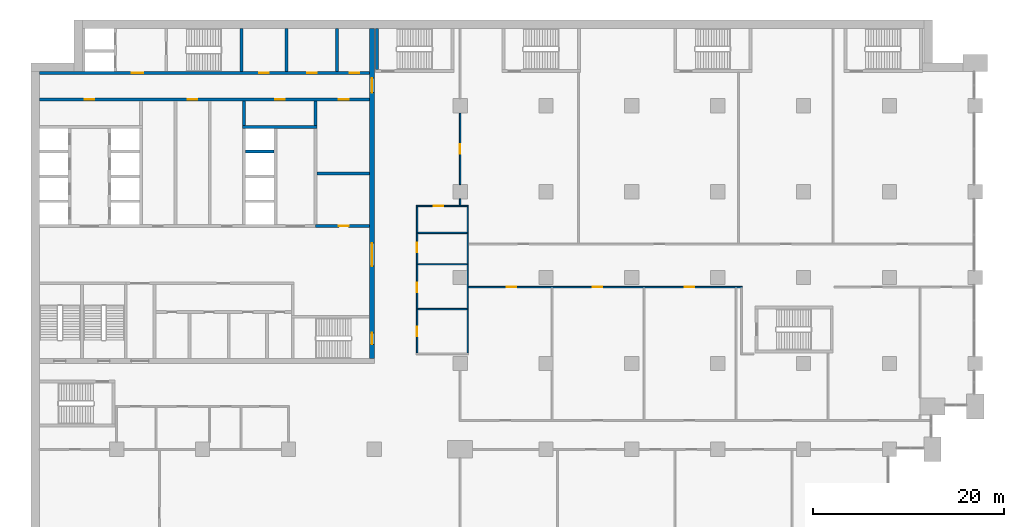
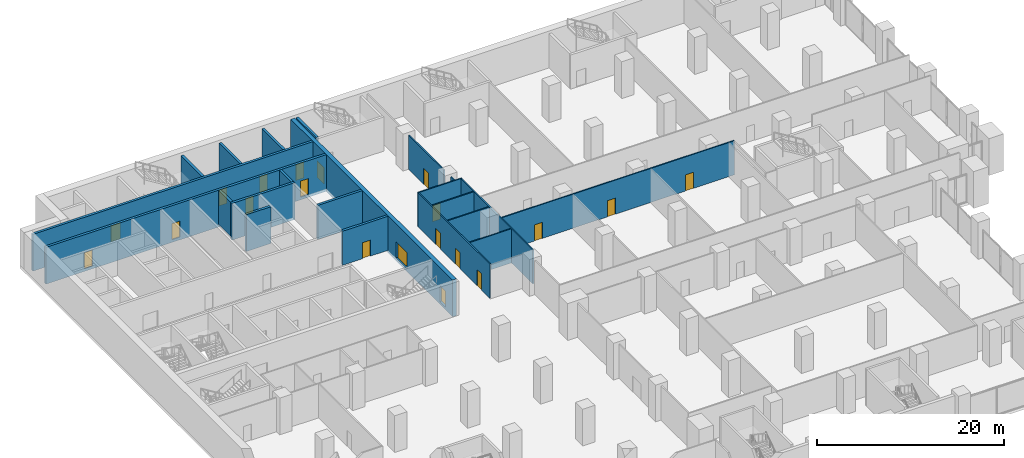
# One storey, part 16 of 31: 22 walls, 20 doors, 20 openings.
"""IFC4 building model written with IfcOpenShell, lengths in metres."""

from ifc_helpers import new_model, si_unit, direction, frame, frame_2d, origin, place, context, subcontext, project, spatial, rectangle, extrude, material, layer, layer_set, type_object, element, fill, save


model = new_model("IFC4")

# Units and contexts
model_context = context("Model", 3, precision=1e-05, world=origin(), true_north=direction((0.0, 1.0)))
body_context = subcontext(model_context, "Body", "Model", "MODEL_VIEW")
ifc_project = project(units=[si_unit("LENGTHUNIT", "METRE"), si_unit("AREAUNIT", "SQUARE_METRE"), si_unit("VOLUMEUNIT", "CUBIC_METRE"), si_unit("PLANEANGLEUNIT", "RADIAN"), si_unit("MASSUNIT", "GRAM", prefix="KILO")], contexts=[model_context])

# Site, building, storey
site_placement = place(None, origin())
site = spatial("IfcSite", under=ifc_project, at=site_placement, CompositionType="ELEMENT")
building_placement = place(site_placement, origin())
building = spatial("IfcBuilding", under=site, at=building_placement, Name="Hunhe Ridgeline Campus", CompositionType="ELEMENT")
storey_placement = place(building_placement, frame((0.0, 0.0, 16.800048828125)))
storey = spatial("IfcBuildingStorey", under=building, at=storey_placement, Name="L03", CompositionType="ELEMENT", Elevation=16.800048828125)

# Walls
ifc_material_1 = material(Name="Plastered blockwork", Category="masonry")
ifc_layer_1 = layer(ifc_material_1, 0.14990234375)
ifc_layer_set_1 = layer_set([ifc_layer_1], Name="Blockwork partition 150")
wall_type_1 = type_object("IfcWallType", Name="Blockwork partition 150", PredefinedType="PARTITIONING", material=ifc_layer_set_1)
wall_1_placement = place(storey_placement, frame((40.574951171875, 68.697021484375, 0.0), z_axis=(0.0, 0.0, 1.0), x_axis=(1.0, 0.0, 0.0)))
element("IfcWall", 1, at=wall_1_placement, inside=storey, type_object=wall_type_1, Name="L03 partition", PredefinedType="PARTITIONING", context=body_context, shape_type="SweptSolid", body=[
    extrude(rectangle(XDim=5.150146484375, YDim=0.14990234375, at=frame_2d((2.5751953125, 0.0))), origin(), (0.0, 0.0, 1.0), 4.449951171875),
])
wall_2_placement = place(storey_placement, frame((45.800048828125, 79.425048828125, 0.0), z_axis=(0.0, 0.0, 1.0), x_axis=(0.0, -1.0, 0.0)))
element("IfcWall", 2, at=wall_2_placement, inside=storey, type_object=wall_type_1, Name="L03 partition", PredefinedType="PARTITIONING", context=body_context, shape_type="SweptSolid", body=[
    extrude(rectangle(XDim=15.35009765625, YDim=0.14990234375, at=frame_2d((7.675048828125, 0.0))), origin(), (0.0, 0.0, 1.0), 4.449951171875),
])

# Wall, openings, doors
wall_3_placement = place(storey_placement, frame((40.5, 64.074951171875, 0.0), z_axis=(0.0, 0.0, 1.0), x_axis=(0.0, 1.0, 0.0)))
wall_3 = element("IfcWall", 3, at=wall_3_placement, inside=storey, type_object=wall_type_1, Name="L03 partition", PredefinedType="PARTITIONING", context=body_context, shape_type="SweptSolid", body=[
    extrude(rectangle(XDim=15.35009765625, YDim=0.14990234375, at=frame_2d((7.675048828125, 0.0))), origin(), (0.0, 0.0, 1.0), 4.449951171875),
])
opening_1_placement = place(wall_3_placement, frame((1.75, 0.0, 0.0)))
opening_1 = element("IfcOpeningElement", 4, at=opening_1_placement, cuts=wall_3, Name="Opening PD404", PredefinedType="OPENING", context=body_context, shape_type="SweptSolid", body=[
    extrude(rectangle(XDim=1.0, YDim=2.10009765625, at=frame_2d((0.5, 1.050048828125))), frame((0.0, 0.074951171875, 0.0), z_axis=(0.0, -1.0, 0.0), x_axis=(1.0, 0.0, 0.0)), (0.0, 0.0, 1.0), 0.14990234375),
])
opening_2_placement = place(wall_3_placement, frame((6.3720703125, 0.0, 0.0)))
opening_2 = element("IfcOpeningElement", 5, at=opening_2_placement, cuts=wall_3, Name="Opening PD405", PredefinedType="OPENING", context=body_context, shape_type="SweptSolid", body=[
    extrude(rectangle(XDim=1.0, YDim=2.10009765625, at=frame_2d((0.5, 1.050048828125))), frame((0.0, 0.074951171875, 0.0), z_axis=(0.0, -1.0, 0.0), x_axis=(1.0, 0.0, 0.0)), (0.0, 0.0, 1.0), 0.14990234375),
])
opening_3_placement = place(wall_3_placement, frame((10.569091796875, 0.0, 0.0)))
opening_3 = element("IfcOpeningElement", 6, at=opening_3_placement, cuts=wall_3, Name="Opening PD406", PredefinedType="OPENING", context=body_context, shape_type="SweptSolid", body=[
    extrude(rectangle(XDim=1.0, YDim=2.10009765625, at=frame_2d((0.5, 1.050048828125))), frame((0.0, 0.074951171875, 0.0), z_axis=(0.0, -1.0, 0.0), x_axis=(1.0, 0.0, 0.0)), (0.0, 0.0, 1.0), 0.14990234375),
])
ifc_material_2 = material(Name="Timber", Category="wood")
door_type_1 = type_object("IfcDoorType", Name="Podium accessible WC door 1000x2100", OperationType="NOTDEFINED", PredefinedType="DOOR", material=ifc_material_2)
door_1_placement = place(opening_3_placement, origin())
door_1 = element("IfcDoor", 7, at=door_1_placement, inside=storey, type_object=door_type_1, Name="Accessible WC door", OperationType="SINGLE_SWING_RIGHT", OverallHeight=2.10009765625, OverallWidth=1.0, PredefinedType="DOOR", context=body_context, shape_type="SweptSolid", body=[
    extrude(rectangle(XDim=1.0, YDim=2.10009765625, at=frame_2d((0.5, 1.050048828125))), frame((0.0, 0.02490234375, 0.0), z_axis=(0.0, -1.0, 0.0), x_axis=(1.0, 0.0, 0.0)), (0.0, 0.0, 1.0), 0.050048828125),
])
fill(opening_3, door_1)
door_type_2 = type_object("IfcDoorType", Name="Podium timber door 1000x2100", OperationType="NOTDEFINED", PredefinedType="DOOR", material=ifc_material_2)
door_2_placement = place(opening_1_placement, origin())
door_2 = element("IfcDoor", 8, at=door_2_placement, inside=storey, type_object=door_type_2, Name="Men WC door", OperationType="SINGLE_SWING_LEFT", OverallHeight=2.10009765625, OverallWidth=1.0, PredefinedType="DOOR", context=body_context, shape_type="SweptSolid", body=[
    extrude(rectangle(XDim=1.0, YDim=2.10009765625, at=frame_2d((0.5, 1.050048828125))), frame((0.0, 0.02490234375, 0.0), z_axis=(0.0, -1.0, 0.0), x_axis=(1.0, 0.0, 0.0)), (0.0, 0.0, 1.0), 0.050048828125),
])
fill(opening_1, door_2)
door_3_placement = place(opening_2_placement, origin())
door_3 = element("IfcDoor", 9, at=door_3_placement, inside=storey, type_object=door_type_2, Name="Women WC door", OperationType="SINGLE_SWING_LEFT", OverallHeight=2.10009765625, OverallWidth=1.0, PredefinedType="DOOR", context=body_context, shape_type="SweptSolid", body=[
    extrude(rectangle(XDim=1.0, YDim=2.10009765625, at=frame_2d((0.5, 1.050048828125))), frame((0.0, 0.02490234375, 0.0), z_axis=(0.0, -1.0, 0.0), x_axis=(1.0, 0.0, 0.0)), (0.0, 0.0, 1.0), 0.050048828125),
])
fill(opening_2, door_3)

# Walls
for number, where, z_axis, x_axis, name in (
    (10, (40.574951171875, 73.39404296875, 0.0), (0.0, 0.0, 1.0), (1.0, 0.0, 0.0), "L03 partition"),
    (11, (40.574951171875, 76.681884765625, 0.0), (0.0, 0.0, 1.0), (1.0, 0.0, 0.0), "L03 partition"),
):
    element("IfcWall", number, at=place(storey_placement, frame(where, z_axis=z_axis, x_axis=x_axis)), inside=storey, type_object=wall_type_1, Name=name, PredefinedType="PARTITIONING", context=body_context, shape_type="SweptSolid", body=[
        extrude(rectangle(XDim=5.150146484375, YDim=0.14990234375, at=frame_2d((2.5751953125, 0.0))), origin(), (0.0, 0.0, 1.0), 4.449951171875),
    ])

# Wall, opening, door
wall_4_placement = place(storey_placement, frame((40.425048828125, 79.5, 0.0), z_axis=(0.0, 0.0, 1.0), x_axis=(1.0, 0.0, 0.0)))
wall_4 = element("IfcWall", 12, at=wall_4_placement, inside=storey, type_object=wall_type_1, Name="L03 partition", PredefinedType="PARTITIONING", context=body_context, shape_type="SweptSolid", body=[
    extrude(rectangle(XDim=5.449951171875, YDim=0.14990234375, at=frame_2d((2.72509765625, 0.0))), origin(), (0.0, 0.0, 1.0), 4.449951171875),
])
opening_4_placement = place(wall_4_placement, frame((1.824951171875, 0.0, 0.0)))
opening_4 = element("IfcOpeningElement", 13, at=opening_4_placement, cuts=wall_4, Name="Opening PD407", PredefinedType="OPENING", context=body_context, shape_type="SweptSolid", body=[
    extrude(rectangle(XDim=1.0, YDim=2.10009765625, at=frame_2d((0.5, 1.050048828125))), frame((0.0, 0.074951171875, 0.0), z_axis=(0.0, -1.0, 0.0), x_axis=(1.0, 0.0, 0.0)), (0.0, 0.0, 1.0), 0.14990234375),
])
door_4_placement = place(opening_4_placement, origin())
door_4 = element("IfcDoor", 14, at=door_4_placement, inside=storey, type_object=door_type_2, Name="Cleaners Store door", OperationType="SINGLE_SWING_LEFT", OverallHeight=2.10009765625, OverallWidth=1.0, PredefinedType="DOOR", context=body_context, shape_type="SweptSolid", body=[
    extrude(rectangle(XDim=1.0, YDim=2.10009765625, at=frame_2d((0.5, 1.050048828125))), frame((0.0, 0.02490234375, 0.0), z_axis=(0.0, -1.0, 0.0), x_axis=(1.0, 0.0, 0.0)), (0.0, 0.0, 1.0), 0.050048828125),
])
fill(opening_4, door_4)

# Wall
wall_5_placement = place(storey_placement, frame((45.0, 79.574951171875, 0.0), z_axis=(0.0, 0.0, 1.0), x_axis=(0.0, 1.0, 0.0)))
element("IfcWall", 15, at=wall_5_placement, inside=storey, type_object=wall_type_1, Name="L03 partition", PredefinedType="PARTITIONING", context=body_context, shape_type="SweptSolid", body=[
    extrude(rectangle(XDim=0.675048828125, YDim=0.14990234375, at=frame_2d((0.33740234375, 0.0))), origin(), (0.0, 0.0, 1.0), 4.449951171875),
])

# Wall, opening, door
wall_6_placement = place(storey_placement, frame((45.0, 81.75, 0.0), z_axis=(0.0, 0.0, 1.0), x_axis=(0.0, 1.0, 0.0)))
wall_6 = element("IfcWall", 16, at=wall_6_placement, inside=storey, type_object=wall_type_1, Name="L03 partition", PredefinedType="PARTITIONING", context=body_context, shape_type="SweptSolid", body=[
    extrude(rectangle(XDim=7.5, YDim=0.14990234375, at=frame_2d((3.75, 0.0))), origin(), (0.0, 0.0, 1.0), 4.449951171875),
])
opening_5_placement = place(wall_6_placement, frame((3.25, 0.0, 0.0)))
opening_5 = element("IfcOpeningElement", 17, at=opening_5_placement, cuts=wall_6, Name="Opening PD438", PredefinedType="OPENING", context=body_context, shape_type="SweptSolid", body=[
    extrude(rectangle(XDim=1.0, YDim=2.10009765625, at=frame_2d((0.5, 1.050048828125))), frame((0.0, 0.074951171875, 0.0), z_axis=(0.0, -1.0, 0.0), x_axis=(1.0, 0.0, 0.0)), (0.0, 0.0, 1.0), 0.14990234375),
])
door_5_placement = place(opening_5_placement, origin())
door_5 = element("IfcDoor", 18, at=door_5_placement, inside=storey, type_object=door_type_2, Name="Open Stacks door", OperationType="SINGLE_SWING_RIGHT", OverallHeight=2.10009765625, OverallWidth=1.0, PredefinedType="DOOR", context=body_context, shape_type="SweptSolid", body=[
    extrude(rectangle(XDim=1.0, YDim=2.10009765625, at=frame_2d((0.5, 1.050048828125))), frame((0.0, 0.02490234375, 0.0), z_axis=(0.0, -1.0, 0.0), x_axis=(1.0, 0.0, 0.0)), (0.0, 0.0, 1.0), 0.050048828125),
])
fill(opening_5, door_5)

# Wall, openings, doors
wall_7_placement = place(storey_placement, frame((45.875, 71.0, 0.0), z_axis=(0.0, 0.0, 1.0), x_axis=(1.0, 0.0, 0.0)))
wall_7 = element("IfcWall", 19, at=wall_7_placement, inside=storey, type_object=wall_type_1, Name="L03 partition", PredefinedType="PARTITIONING", context=body_context, shape_type="SweptSolid", body=[
    extrude(rectangle(XDim=28.699951171875, YDim=0.14990234375, at=frame_2d((14.35009765625, 0.0))), origin(), (0.0, 0.0, 1.0), 4.449951171875),
])
opening_6_placement = place(wall_7_placement, frame((4.0, 0.0, 0.0)))
opening_6 = element("IfcOpeningElement", 20, at=opening_6_placement, cuts=wall_7, Name="Opening PD424", PredefinedType="OPENING", context=body_context, shape_type="SweptSolid", body=[
    extrude(rectangle(XDim=1.0, YDim=2.10009765625, at=frame_2d((0.5, 1.050048828125))), frame((0.0, 0.074951171875, 0.0), z_axis=(0.0, -1.0, 0.0), x_axis=(1.0, 0.0, 0.0)), (0.0, 0.0, 1.0), 0.14990234375),
])
opening_7_placement = place(wall_7_placement, frame((13.01806640625, 0.0, 0.0)))
opening_7 = element("IfcOpeningElement", 21, at=opening_7_placement, cuts=wall_7, Name="Opening PD426", PredefinedType="OPENING", context=body_context, shape_type="SweptSolid", body=[
    extrude(rectangle(XDim=1.0, YDim=2.10009765625, at=frame_2d((0.5, 1.050048828125))), frame((0.0, 0.074951171875, 0.0), z_axis=(0.0, -1.0, 0.0), x_axis=(1.0, 0.0, 0.0)), (0.0, 0.0, 1.0), 0.14990234375),
])
opening_8_placement = place(wall_7_placement, frame((22.660888671875, 0.0, 0.0)))
opening_8 = element("IfcOpeningElement", 22, at=opening_8_placement, cuts=wall_7, Name="Opening PD428", PredefinedType="OPENING", context=body_context, shape_type="SweptSolid", body=[
    extrude(rectangle(XDim=1.0, YDim=2.10009765625, at=frame_2d((0.5, 1.050048828125))), frame((0.0, 0.074951171875, 0.0), z_axis=(0.0, -1.0, 0.0), x_axis=(1.0, 0.0, 0.0)), (0.0, 0.0, 1.0), 0.14990234375),
])
door_6_placement = place(opening_6_placement, origin())
door_6 = element("IfcDoor", 23, at=door_6_placement, inside=storey, type_object=door_type_2, Name="Open Stacks door", OperationType="SINGLE_SWING_LEFT", OverallHeight=2.10009765625, OverallWidth=1.0, PredefinedType="DOOR", context=body_context, shape_type="SweptSolid", body=[
    extrude(rectangle(XDim=1.0, YDim=2.10009765625, at=frame_2d((0.5, 1.050048828125))), frame((0.0, 0.02490234375, 0.0), z_axis=(0.0, -1.0, 0.0), x_axis=(1.0, 0.0, 0.0)), (0.0, 0.0, 1.0), 0.050048828125),
])
fill(opening_6, door_6)
door_7_placement = place(opening_7_placement, origin())
door_7 = element("IfcDoor", 24, at=door_7_placement, inside=storey, type_object=door_type_2, Name="Open Stacks door", OperationType="SINGLE_SWING_LEFT", OverallHeight=2.10009765625, OverallWidth=1.0, PredefinedType="DOOR", context=body_context, shape_type="SweptSolid", body=[
    extrude(rectangle(XDim=1.0, YDim=2.10009765625, at=frame_2d((0.5, 1.050048828125))), frame((0.0, 0.02490234375, 0.0), z_axis=(0.0, -1.0, 0.0), x_axis=(1.0, 0.0, 0.0)), (0.0, 0.0, 1.0), 0.050048828125),
])
fill(opening_7, door_7)
door_8_placement = place(opening_8_placement, origin())
door_8 = element("IfcDoor", 25, at=door_8_placement, inside=storey, type_object=door_type_2, Name="Open Stacks door", OperationType="SINGLE_SWING_RIGHT", OverallHeight=2.10009765625, OverallWidth=1.0, PredefinedType="DOOR", context=body_context, shape_type="SweptSolid", body=[
    extrude(rectangle(XDim=1.0, YDim=2.10009765625, at=frame_2d((0.5, 1.050048828125))), frame((0.0, 0.02490234375, 0.0), z_axis=(0.0, -1.0, 0.0), x_axis=(1.0, 0.0, 0.0)), (0.0, 0.0, 1.0), 0.050048828125),
])
fill(opening_8, door_8)

# Wall, opening, door
ifc_material_3 = material(Name="Masonry concrete blockwork", Category="masonry")
ifc_layer_2 = layer(ifc_material_3, 0.300048828125)
ifc_layer_set_2 = layer_set([ifc_layer_2], Name="Core room partition 300 concrete block")
wall_type_2 = type_object("IfcWallType", Name="Core room partition 300 concrete block", PredefinedType="PARTITIONING", material=ifc_layer_set_2)
wall_8_placement = place(storey_placement, frame((29.85009765625, 77.39990234375, 0.0), z_axis=(0.0, 0.0, 1.0), x_axis=(1.0, 0.0, 0.0)))
wall_8 = element("IfcWall", 26, at=wall_8_placement, inside=storey, type_object=wall_type_2, Name="L03 core partition 15", PredefinedType="PARTITIONING", context=body_context, shape_type="SweptSolid", body=[
    extrude(rectangle(XDim=5.64990234375, YDim=0.300048828125, at=frame_2d((2.824951171875, 0.0))), origin(), (0.0, 0.0, 1.0), 4.449951171875),
])
opening_9_placement = place(wall_8_placement, frame((2.449951171875, 0.0, 0.0)))
opening_9 = element("IfcOpeningElement", 27, at=opening_9_placement, cuts=wall_8, Name="Opening CD32", PredefinedType="OPENING", context=body_context, shape_type="SweptSolid", body=[
    extrude(rectangle(XDim=1.0, YDim=2.10009765625, at=frame_2d((0.5, 1.050048828125))), frame((0.0, 0.14990234375, 0.0), z_axis=(0.0, -1.0, 0.0), x_axis=(1.0, 0.0, 0.0)), (0.0, 0.0, 1.0), 0.300048828125),
])
ifc_material_4 = material(Name="Solid core timber door leaf", Category="wood")
door_type_3 = type_object("IfcDoorType", Name="Timber door 1000x2100", OperationType="SINGLE_SWING_LEFT", PredefinedType="DOOR", material=ifc_material_4)
door_9_placement = place(opening_9_placement, origin())
door_9 = element("IfcDoor", 28, at=door_9_placement, inside=storey, type_object=door_type_3, Name="L03 door ES0", OperationType="SINGLE_SWING_LEFT", OverallHeight=2.10009765625, OverallWidth=1.0, PredefinedType="DOOR", context=body_context, shape_type="SweptSolid", body=[
    extrude(rectangle(XDim=1.0, YDim=2.10009765625, at=frame_2d((0.5, 1.050048828125))), frame((0.0, 0.02490234375, 0.0), z_axis=(0.0, -1.0, 0.0), x_axis=(1.0, 0.0, 0.0)), (0.0, 0.0, 1.0), 0.050048828125),
])
fill(opening_9, door_9)

# Walls
wall_9_placement = place(storey_placement, frame((30.0, 82.89990234375, 0.0), z_axis=(0.0, 0.0, 1.0), x_axis=(1.0, 0.0, 0.0)))
element("IfcWall", 29, at=wall_9_placement, inside=storey, type_object=wall_type_2, Name="L03 core partition 22", PredefinedType="PARTITIONING", context=body_context, shape_type="SweptSolid", body=[
    extrude(rectangle(XDim=5.5, YDim=0.300048828125, at=frame_2d((2.75, 0.0))), origin(), (0.0, 0.0, 1.0), 4.449951171875),
])
wall_10_placement = place(storey_placement, frame((22.35009765625, 87.949951171875, 0.0), z_axis=(0.0, 0.0, 1.0), x_axis=(0.0, 1.0, 0.0)))
element("IfcWall", 30, at=wall_10_placement, inside=storey, type_object=wall_type_2, Name="L03 core partition 54", PredefinedType="PARTITIONING", context=body_context, shape_type="SweptSolid", body=[
    extrude(rectangle(XDim=2.550048828125, YDim=0.300048828125, at=frame_2d((1.27490234375, 0.0))), origin(), (0.0, 0.0, 1.0), 4.449951171875),
])
wall_11_placement = place(storey_placement, frame((26.800048828125, 93.60009765625, 0.0), z_axis=(0.0, 0.0, 1.0), x_axis=(0.0, 1.0, 0.0)))
element("IfcWall", 31, at=wall_11_placement, inside=storey, type_object=wall_type_2, Name="L03 core partition 58", PredefinedType="PARTITIONING", context=body_context, shape_type="SweptSolid", body=[
    extrude(rectangle(XDim=4.5, YDim=0.300048828125, at=frame_2d((2.25, 0.0))), origin(), (0.0, 0.0, 1.0), 4.449951171875),
])
wall_12_placement = place(storey_placement, frame((29.85009765625, 87.949951171875, 0.0), z_axis=(0.0, 0.0, 1.0), x_axis=(0.0, 1.0, 0.0)))
element("IfcWall", 32, at=wall_12_placement, inside=storey, type_object=wall_type_2, Name="L03 core partition 62", PredefinedType="PARTITIONING", context=body_context, shape_type="SweptSolid", body=[
    extrude(rectangle(XDim=2.550048828125, YDim=0.300048828125, at=frame_2d((1.27490234375, 0.0))), origin(), (0.0, 0.0, 1.0), 4.449951171875),
])
wall_13_placement = place(storey_placement, frame((32.10009765625, 93.60009765625, 0.0), z_axis=(0.0, 0.0, 1.0), x_axis=(0.0, 1.0, 0.0)))
element("IfcWall", 33, at=wall_13_placement, inside=storey, type_object=wall_type_2, Name="L03 core partition 63", PredefinedType="PARTITIONING", context=body_context, shape_type="SweptSolid", body=[
    extrude(rectangle(XDim=4.5, YDim=0.300048828125, at=frame_2d((2.25, 0.0))), origin(), (0.0, 0.0, 1.0), 4.449951171875),
])

# Wall, openings, doors
ifc_material_5 = material(Name="Concrete C80", Category="concrete")
ifc_layer_3 = layer(ifc_material_5, 0.5)
ifc_layer_set_3 = layer_set([ifc_layer_3], Name="Core wall 500 reinforced concrete C80")
wall_type_3 = type_object("IfcWallType", Name="Core wall 500 reinforced concrete C80", PredefinedType="SOLIDWALL", material=ifc_layer_set_3)
wall_14_placement = place(storey_placement, frame((35.75, 63.5, -0.35009765625), z_axis=(0.0, 0.0, 1.0), x_axis=(0.0, 1.0, 0.0)))
wall_14 = element("IfcWall", 34, at=wall_14_placement, inside=storey, type_object=wall_type_3, Name="L03 core wall 64", PredefinedType="SOLIDWALL", context=body_context, shape_type="SweptSolid", body=[
    extrude(rectangle(XDim=34.60009765625, YDim=0.5, at=frame_2d((17.300048828125, 0.0))), origin(), (0.0, 0.0, 1.0), 4.800048828125),
])
opening_10_placement = place(wall_14_placement, frame((9.699951171875, 0.0, 0.35009765625)))
opening_10 = element("IfcOpeningElement", 35, at=opening_10_placement, cuts=wall_14, Name="Opening CD4", PredefinedType="OPENING", context=body_context, shape_type="SweptSolid", body=[
    extrude(rectangle(XDim=2.39990234375, YDim=2.10009765625, at=frame_2d((1.199951171875, 1.050048828125))), frame((0.0, 0.25, 0.0), z_axis=(0.0, -1.0, 0.0), x_axis=(1.0, 0.0, 0.0)), (0.0, 0.0, 1.0), 0.5),
])
opening_11_placement = place(wall_14_placement, frame((27.89990234375, 0.0, 0.35009765625)))
opening_11 = element("IfcOpeningElement", 36, at=opening_11_placement, cuts=wall_14, Name="Opening CD5", PredefinedType="OPENING", context=body_context, shape_type="SweptSolid", body=[
    extrude(rectangle(XDim=1.5, YDim=2.10009765625, at=frame_2d((0.75, 1.050048828125))), frame((0.0, 0.25, 0.0), z_axis=(0.0, -1.0, 0.0), x_axis=(1.0, 0.0, 0.0)), (0.0, 0.0, 1.0), 0.5),
])
opening_12_placement = place(wall_14_placement, frame((1.5, 0.0, 0.35009765625)))
opening_12 = element("IfcOpeningElement", 37, at=opening_12_placement, cuts=wall_14, Name="Opening CD15", PredefinedType="OPENING", context=body_context, shape_type="SweptSolid", body=[
    extrude(rectangle(XDim=1.199951171875, YDim=2.10009765625, at=frame_2d((0.60009765625, 1.050048828125))), frame((0.0, 0.25, 0.0), z_axis=(0.0, -1.0, 0.0), x_axis=(1.0, 0.0, 0.0)), (0.0, 0.0, 1.0), 0.5),
])
ifc_material_6 = material(Name="Anodised aluminium and glass", Category="aluminium")
door_type_4 = type_object("IfcDoorType", Name="Glazed double door 2400x2100", OperationType="DOUBLE_DOOR_SINGLE_SWING", PredefinedType="DOOR", material=ifc_material_6)
door_10_placement = place(opening_10_placement, frame((2.39990234375, 0.0, 0.0), z_axis=(0.0, 0.0, 1.0), x_axis=(-1.0, 0.0, 0.0)))
door_10 = element("IfcDoor", 38, at=door_10_placement, inside=storey, type_object=door_type_4, Name="L03 door HALL-FLOOR", OperationType="DOUBLE_DOOR_SINGLE_SWING", OverallHeight=2.10009765625, OverallWidth=2.39990234375, PredefinedType="DOOR", context=body_context, shape_type="SweptSolid", body=[
    extrude(rectangle(XDim=2.39990234375, YDim=2.10009765625, at=frame_2d((1.199951171875, 1.050048828125))), frame((0.0, 0.02490234375, 0.0), z_axis=(0.0, -1.0, 0.0), x_axis=(1.0, 0.0, 0.0)), (0.0, 0.0, 1.0), 0.050048828125),
])
fill(opening_10, door_10)
ifc_material_7 = material(Name="Hollow metal fire door leaf")
door_type_5 = type_object("IfcDoorType", Name="Stair door 1200x2100 FD60", OperationType="SINGLE_SWING_LEFT", PredefinedType="DOOR", material=ifc_material_7)
door_11_placement = place(opening_12_placement, frame((1.199951171875, 0.0, 0.0), z_axis=(0.0, 0.0, 1.0), x_axis=(-1.0, 0.0, 0.0)))
door_11 = element("IfcDoor", 39, at=door_11_placement, inside=storey, type_object=door_type_5, Name="L03 door S2-FLOOR", OperationType="SINGLE_SWING_RIGHT", OverallHeight=2.10009765625, OverallWidth=1.199951171875, PredefinedType="DOOR", context=body_context, shape_type="SweptSolid", body=[
    extrude(rectangle(XDim=1.199951171875, YDim=2.10009765625, at=frame_2d((0.60009765625, 1.050048828125))), frame((0.0, 0.02490234375, 0.0), z_axis=(0.0, -1.0, 0.0), x_axis=(1.0, 0.0, 0.0)), (0.0, 0.0, 1.0), 0.050048828125),
])
fill(opening_12, door_11)
door_type_6 = type_object("IfcDoorType", Name="Timber door 1500x2100", OperationType="SINGLE_SWING_LEFT", PredefinedType="DOOR", material=ifc_material_4)
door_12_placement = place(opening_11_placement, frame((1.5, 0.0, 0.0), z_axis=(0.0, 0.0, 1.0), x_axis=(-1.0, 0.0, 0.0)))
door_12 = element("IfcDoor", 40, at=door_12_placement, inside=storey, type_object=door_type_6, Name="L03 door C1-FLOOR", OperationType="SINGLE_SWING_RIGHT", OverallHeight=2.10009765625, OverallWidth=1.5, PredefinedType="DOOR", context=body_context, shape_type="SweptSolid", body=[
    extrude(rectangle(XDim=1.5, YDim=2.10009765625, at=frame_2d((0.75, 1.050048828125))), frame((0.0, 0.02490234375, 0.0), z_axis=(0.0, -1.0, 0.0), x_axis=(1.0, 0.0, 0.0)), (0.0, 0.0, 1.0), 0.050048828125),
])
fill(opening_11, door_12)

ifc_layer_4 = layer(ifc_material_5, 0.300048828125)
ifc_layer_set_4 = layer_set([ifc_layer_4], Name="Lobby wall 300 reinforced concrete C80")
wall_type_4 = type_object("IfcWallType", Name="Lobby wall 300 reinforced concrete C80", PredefinedType="SOLIDWALL", material=ifc_layer_set_4)
wall_15_placement = place(storey_placement, frame((0.89990234375, 90.64990234375, -0.35009765625), z_axis=(0.0, 0.0, 1.0), x_axis=(1.0, 0.0, 0.0)))
wall_15 = element("IfcWall", 41, at=wall_15_placement, inside=storey, type_object=wall_type_4, Name="L03 core wall 28", PredefinedType="SOLIDWALL", context=body_context, shape_type="SweptSolid", body=[
    extrude(rectangle(XDim=34.60009765625, YDim=0.300048828125, at=frame_2d((17.300048828125, 0.0))), origin(), (0.0, 0.0, 1.0), 4.800048828125),
])
opening_13_placement = place(wall_15_placement, frame((4.75, 0.0, 0.35009765625)))
opening_13 = element("IfcOpeningElement", 42, at=opening_13_placement, cuts=wall_15, Name="Opening CD26", PredefinedType="OPENING", context=body_context, shape_type="SweptSolid", body=[
    extrude(rectangle(XDim=1.0, YDim=2.10009765625, at=frame_2d((0.5, 1.050048828125))), frame((0.0, 0.14990234375, 0.0), z_axis=(0.0, -1.0, 0.0), x_axis=(1.0, 0.0, 0.0)), (0.0, 0.0, 1.0), 0.300048828125),
])
opening_14_placement = place(wall_15_placement, frame((24.699951171875, 0.0, 0.35009765625)))
opening_14 = element("IfcOpeningElement", 43, at=opening_14_placement, cuts=wall_15, Name="Opening CD27", PredefinedType="OPENING", context=body_context, shape_type="SweptSolid", body=[
    extrude(rectangle(XDim=1.0, YDim=2.10009765625, at=frame_2d((0.5, 1.050048828125))), frame((0.0, 0.14990234375, 0.0), z_axis=(0.0, -1.0, 0.0), x_axis=(1.0, 0.0, 0.0)), (0.0, 0.0, 1.0), 0.300048828125),
])
opening_15_placement = place(wall_15_placement, frame((15.550048828125, 0.0, 0.35009765625)))
opening_15 = element("IfcOpeningElement", 44, at=opening_15_placement, cuts=wall_15, Name="Opening CD29", PredefinedType="OPENING", context=body_context, shape_type="SweptSolid", body=[
    extrude(rectangle(XDim=1.0, YDim=2.10009765625, at=frame_2d((0.5, 1.050048828125))), frame((0.0, 0.14990234375, 0.0), z_axis=(0.0, -1.0, 0.0), x_axis=(1.0, 0.0, 0.0)), (0.0, 0.0, 1.0), 0.300048828125),
])
opening_16_placement = place(wall_15_placement, frame((31.39990234375, 0.0, 0.35009765625)))
opening_16 = element("IfcOpeningElement", 45, at=opening_16_placement, cuts=wall_15, Name="Opening CD33", PredefinedType="OPENING", context=body_context, shape_type="SweptSolid", body=[
    extrude(rectangle(XDim=1.0, YDim=2.10009765625, at=frame_2d((0.5, 1.050048828125))), frame((0.0, 0.14990234375, 0.0), z_axis=(0.0, -1.0, 0.0), x_axis=(1.0, 0.0, 0.0)), (0.0, 0.0, 1.0), 0.300048828125),
])
door_13_placement = place(opening_13_placement, frame((1.0, 0.0, 0.0), z_axis=(0.0, 0.0, 1.0), x_axis=(-1.0, 0.0, 0.0)))
door_13 = element("IfcDoor", 46, at=door_13_placement, inside=storey, type_object=door_type_3, Name="L03 door NR-0", OperationType="SINGLE_SWING_RIGHT", OverallHeight=2.10009765625, OverallWidth=1.0, PredefinedType="DOOR", context=body_context, shape_type="SweptSolid", body=[
    extrude(rectangle(XDim=1.0, YDim=2.10009765625, at=frame_2d((0.5, 1.050048828125))), frame((0.0, 0.02490234375, 0.0), z_axis=(0.0, -1.0, 0.0), x_axis=(1.0, 0.0, 0.0)), (0.0, 0.0, 1.0), 0.050048828125),
])
fill(opening_13, door_13)
door_14_placement = place(opening_14_placement, frame((1.0, 0.0, 0.0), z_axis=(0.0, 0.0, 1.0), x_axis=(-1.0, 0.0, 0.0)))
door_14 = element("IfcDoor", 47, at=door_14_placement, inside=storey, type_object=door_type_3, Name="L03 door NR-1", OperationType="SINGLE_SWING_LEFT", OverallHeight=2.10009765625, OverallWidth=1.0, PredefinedType="DOOR", context=body_context, shape_type="SweptSolid", body=[
    extrude(rectangle(XDim=1.0, YDim=2.10009765625, at=frame_2d((0.5, 1.050048828125))), frame((0.0, 0.02490234375, 0.0), z_axis=(0.0, -1.0, 0.0), x_axis=(1.0, 0.0, 0.0)), (0.0, 0.0, 1.0), 0.050048828125),
])
fill(opening_14, door_14)
door_15_placement = place(opening_15_placement, frame((1.0, 0.0, 0.0), z_axis=(0.0, 0.0, 1.0), x_axis=(-1.0, 0.0, 0.0)))
door_15 = element("IfcDoor", 48, at=door_15_placement, inside=storey, type_object=door_type_3, Name="L03 door VD-HR1", OperationType="SINGLE_SWING_LEFT", OverallHeight=2.10009765625, OverallWidth=1.0, PredefinedType="DOOR", context=body_context, shape_type="SweptSolid", body=[
    extrude(rectangle(XDim=1.0, YDim=2.10009765625, at=frame_2d((0.5, 1.050048828125))), frame((0.0, 0.02490234375, 0.0), z_axis=(0.0, -1.0, 0.0), x_axis=(1.0, 0.0, 0.0)), (0.0, 0.0, 1.0), 0.050048828125),
])
fill(opening_15, door_15)
door_16_placement = place(opening_16_placement, frame((1.0, 0.0, 0.0), z_axis=(0.0, 0.0, 1.0), x_axis=(-1.0, 0.0, 0.0)))
door_16 = element("IfcDoor", 49, at=door_16_placement, inside=storey, type_object=door_type_3, Name="L03 door ES1", OperationType="SINGLE_SWING_LEFT", OverallHeight=2.10009765625, OverallWidth=1.0, PredefinedType="DOOR", context=body_context, shape_type="SweptSolid", body=[
    extrude(rectangle(XDim=1.0, YDim=2.10009765625, at=frame_2d((0.5, 1.050048828125))), frame((0.0, 0.02490234375, 0.0), z_axis=(0.0, -1.0, 0.0), x_axis=(1.0, 0.0, 0.0)), (0.0, 0.0, 1.0), 0.050048828125),
])
fill(opening_16, door_16)

# Walls
ifc_layer_5 = layer(ifc_material_5, 0.300048828125)
ifc_layer_set_5 = layer_set([ifc_layer_5], Name="Shaft wall 300 reinforced concrete C80")
wall_type_5 = type_object("IfcWallType", Name="Shaft wall 300 reinforced concrete C80", PredefinedType="SOLIDWALL", material=ifc_layer_set_5)
wall_16_placement = place(storey_placement, frame((22.5, 85.199951171875, -0.35009765625), z_axis=(0.0, 0.0, 1.0), x_axis=(1.0, 0.0, 0.0)))
element("IfcWall", 50, at=wall_16_placement, inside=storey, type_object=wall_type_5, Name="L03 core wall 25", PredefinedType="SOLIDWALL", context=body_context, shape_type="SweptSolid", body=[
    extrude(rectangle(XDim=3.0, YDim=0.300048828125, at=frame_2d((1.5, 0.0))), origin(), (0.0, 0.0, 1.0), 4.800048828125),
])
wall_17_placement = place(storey_placement, frame((22.199951171875, 87.800048828125, -0.35009765625), z_axis=(0.0, 0.0, 1.0), x_axis=(1.0, 0.0, 0.0)))
element("IfcWall", 51, at=wall_17_placement, inside=storey, type_object=wall_type_5, Name="L03 core wall 27", PredefinedType="SOLIDWALL", context=body_context, shape_type="SweptSolid", body=[
    extrude(rectangle(XDim=7.800048828125, YDim=0.300048828125, at=frame_2d((3.89990234375, 0.0))), origin(), (0.0, 0.0, 1.0), 4.800048828125),
])

# Wall, openings, doors
wall_18_placement = place(storey_placement, frame((0.89990234375, 93.449951171875, -0.35009765625), z_axis=(0.0, 0.0, 1.0), x_axis=(1.0, 0.0, 0.0)))
wall_18 = element("IfcWall", 52, at=wall_18_placement, inside=storey, type_object=wall_type_5, Name="L03 core wall 29", PredefinedType="SOLIDWALL", context=body_context, shape_type="SweptSolid", body=[
    extrude(rectangle(XDim=34.60009765625, YDim=0.300048828125, at=frame_2d((17.300048828125, 0.0))), origin(), (0.0, 0.0, 1.0), 4.800048828125),
])
opening_17_placement = place(wall_18_placement, frame((9.699951171875, 0.0, 0.35009765625)))
opening_17 = element("IfcOpeningElement", 53, at=opening_17_placement, cuts=wall_18, Name="Opening CD3", PredefinedType="OPENING", context=body_context, shape_type="SweptSolid", body=[
    extrude(rectangle(XDim=1.199951171875, YDim=2.10009765625, at=frame_2d((0.60009765625, 1.050048828125))), frame((0.0, 0.14990234375, 0.0), z_axis=(0.0, -1.0, 0.0), x_axis=(1.0, 0.0, 0.0)), (0.0, 0.0, 1.0), 0.300048828125),
])
opening_18_placement = place(wall_18_placement, frame((23.050048828125, 0.0, 0.35009765625)))
opening_18 = element("IfcOpeningElement", 54, at=opening_18_placement, cuts=wall_18, Name="Opening CD34", PredefinedType="OPENING", context=body_context, shape_type="SweptSolid", body=[
    extrude(rectangle(XDim=1.0, YDim=2.10009765625, at=frame_2d((0.5, 1.050048828125))), frame((0.0, 0.14990234375, 0.0), z_axis=(0.0, -1.0, 0.0), x_axis=(1.0, 0.0, 0.0)), (0.0, 0.0, 1.0), 0.300048828125),
])
opening_19_placement = place(wall_18_placement, frame((28.050048828125, 0.0, 0.35009765625)))
opening_19 = element("IfcOpeningElement", 55, at=opening_19_placement, cuts=wall_18, Name="Opening CD35", PredefinedType="OPENING", context=body_context, shape_type="SweptSolid", body=[
    extrude(rectangle(XDim=1.0, YDim=2.10009765625, at=frame_2d((0.5, 1.050048828125))), frame((0.0, 0.14990234375, 0.0), z_axis=(0.0, -1.0, 0.0), x_axis=(1.0, 0.0, 0.0)), (0.0, 0.0, 1.0), 0.300048828125),
])
opening_20_placement = place(wall_18_placement, frame((32.52490234375, 0.0, 0.35009765625)))
opening_20 = element("IfcOpeningElement", 56, at=opening_20_placement, cuts=wall_18, Name="Opening CD36", PredefinedType="OPENING", context=body_context, shape_type="SweptSolid", body=[
    extrude(rectangle(XDim=1.0, YDim=2.10009765625, at=frame_2d((0.5, 1.050048828125))), frame((0.0, 0.14990234375, 0.0), z_axis=(0.0, -1.0, 0.0), x_axis=(1.0, 0.0, 0.0)), (0.0, 0.0, 1.0), 0.300048828125),
])
door_type_7 = type_object("IfcDoorType", Name="Lobby door 1200x2100 FD60", OperationType="SINGLE_SWING_LEFT", PredefinedType="DOOR", material=ifc_material_7)
door_17_placement = place(opening_17_placement, frame((1.199951171875, 0.0, 0.0), z_axis=(0.0, 0.0, 1.0), x_axis=(-1.0, 0.0, 0.0)))
door_17 = element("IfcDoor", 57, at=door_17_placement, inside=storey, type_object=door_type_7, Name="L03 door FF-C1", OperationType="SINGLE_SWING_LEFT", OverallHeight=2.10009765625, OverallWidth=1.199951171875, PredefinedType="DOOR", context=body_context, shape_type="SweptSolid", body=[
    extrude(rectangle(XDim=1.199951171875, YDim=2.10009765625, at=frame_2d((0.60009765625, 1.050048828125))), frame((0.0, 0.02490234375, 0.0), z_axis=(0.0, -1.0, 0.0), x_axis=(1.0, 0.0, 0.0)), (0.0, 0.0, 1.0), 0.050048828125),
])
fill(opening_17, door_17)
door_18_placement = place(opening_18_placement, origin())
door_18 = element("IfcDoor", 58, at=door_18_placement, inside=storey, type_object=door_type_3, Name="L03 door NB0", OperationType="SINGLE_SWING_LEFT", OverallHeight=2.10009765625, OverallWidth=1.0, PredefinedType="DOOR", context=body_context, shape_type="SweptSolid", body=[
    extrude(rectangle(XDim=1.0, YDim=2.10009765625, at=frame_2d((0.5, 1.050048828125))), frame((0.0, 0.02490234375, 0.0), z_axis=(0.0, -1.0, 0.0), x_axis=(1.0, 0.0, 0.0)), (0.0, 0.0, 1.0), 0.050048828125),
])
fill(opening_18, door_18)
door_19_placement = place(opening_19_placement, origin())
door_19 = element("IfcDoor", 59, at=door_19_placement, inside=storey, type_object=door_type_3, Name="L03 door NB1", OperationType="SINGLE_SWING_RIGHT", OverallHeight=2.10009765625, OverallWidth=1.0, PredefinedType="DOOR", context=body_context, shape_type="SweptSolid", body=[
    extrude(rectangle(XDim=1.0, YDim=2.10009765625, at=frame_2d((0.5, 1.050048828125))), frame((0.0, 0.02490234375, 0.0), z_axis=(0.0, -1.0, 0.0), x_axis=(1.0, 0.0, 0.0)), (0.0, 0.0, 1.0), 0.050048828125),
])
fill(opening_19, door_19)
door_20_placement = place(opening_20_placement, origin())
door_20 = element("IfcDoor", 60, at=door_20_placement, inside=storey, type_object=door_type_3, Name="L03 door NB2", OperationType="SINGLE_SWING_LEFT", OverallHeight=2.10009765625, OverallWidth=1.0, PredefinedType="DOOR", context=body_context, shape_type="SweptSolid", body=[
    extrude(rectangle(XDim=1.0, YDim=2.10009765625, at=frame_2d((0.5, 1.050048828125))), frame((0.0, 0.02490234375, 0.0), z_axis=(0.0, -1.0, 0.0), x_axis=(1.0, 0.0, 0.0)), (0.0, 0.0, 1.0), 0.050048828125),
])
fill(opening_20, door_20)

# Walls
ifc_layer_6 = layer(ifc_material_5, 0.300048828125)
ifc_layer_set_6 = layer_set([ifc_layer_6], Name="Stair wall 300 reinforced concrete C80")
wall_type_6 = type_object("IfcWallType", Name="Stair wall 300 reinforced concrete C80", PredefinedType="SOLIDWALL", material=ifc_layer_set_6)
wall_19_placement = place(storey_placement, frame((22.10009765625, 93.60009765625, -0.35009765625), z_axis=(0.0, 0.0, 1.0), x_axis=(0.0, 1.0, 0.0)))
element("IfcWall", 61, at=wall_19_placement, inside=storey, type_object=wall_type_6, Name="L03 core wall 52", PredefinedType="SOLIDWALL", context=body_context, shape_type="SweptSolid", body=[
    extrude(rectangle(XDim=4.5, YDim=0.300048828125, at=frame_2d((2.25, 0.0))), origin(), (0.0, 0.0, 1.0), 4.800048828125),
])
wall_20_placement = place(storey_placement, frame((36.300048828125, 93.800048828125, -0.35009765625), z_axis=(0.0, 0.0, 1.0), x_axis=(0.0, 1.0, 0.0)))
element("IfcWall", 62, at=wall_20_placement, inside=storey, type_object=wall_type_6, Name="L03 core wall 65", PredefinedType="SOLIDWALL", context=body_context, shape_type="SweptSolid", body=[
    extrude(rectangle(XDim=4.300048828125, YDim=0.300048828125, at=frame_2d((2.14990234375, 0.0))), origin(), (0.0, 0.0, 1.0), 4.800048828125),
])

save(model, "model.ifc")
